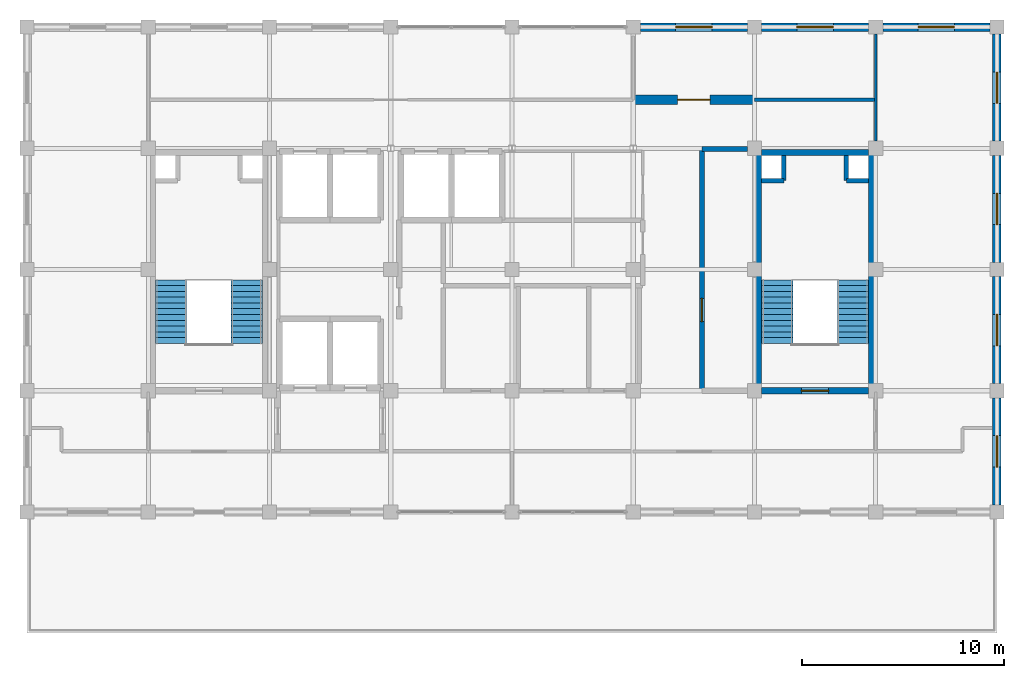
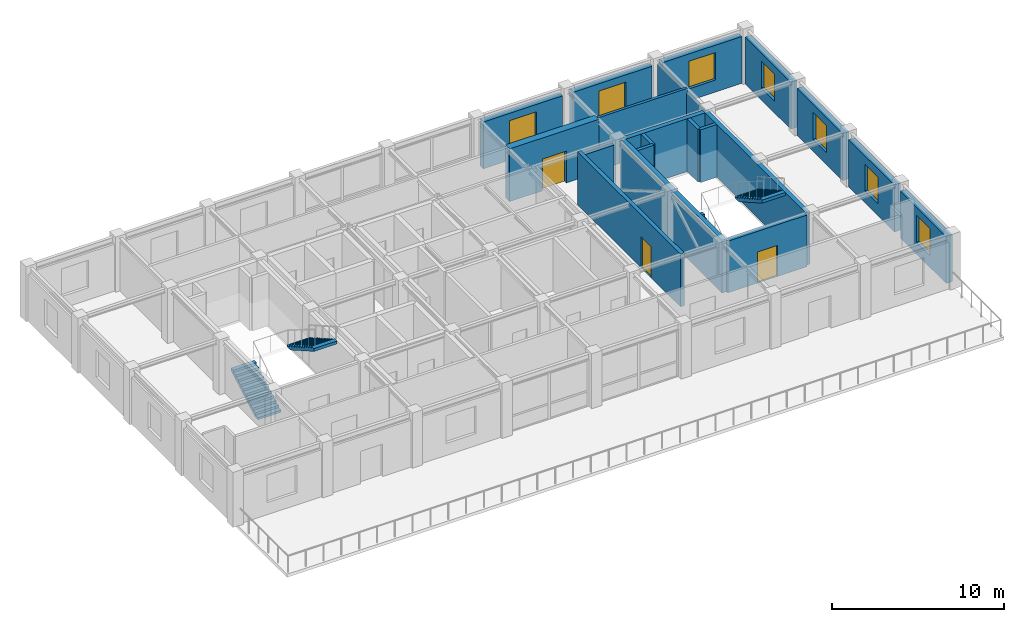
# One storey, part 10 of 11: 20 walls, 7 windows, 4 stair flights, 3 doors, 10 openings, 2 elements without a shape of their own.
"""IFC4 building model written with IfcOpenShell, lengths in metres."""

from ifc_helpers import new_model, si_unit, direction, frame, frame_2d, origin, place, context, subcontext, project, spatial, polyline, rectangle, outline, extrude, material, layer, layer_set, type_object, element, fill, aggregate, save


model = new_model("IFC4")

# Units and contexts
model_context = context("Model", 3, precision=1e-05, world=origin(), true_north=direction((0.0, 1.0)))
body_context = subcontext(model_context, "Body", "Model", "MODEL_VIEW")
ifc_project = project(units=[si_unit("LENGTHUNIT", "METRE"), si_unit("AREAUNIT", "SQUARE_METRE"), si_unit("VOLUMEUNIT", "CUBIC_METRE"), si_unit("PLANEANGLEUNIT", "RADIAN"), si_unit("MASSUNIT", "GRAM", prefix="KILO")], contexts=[model_context])

# Site, building, storey
site_placement = place(None, origin())
site = spatial("IfcSite", under=ifc_project, at=site_placement, CompositionType="ELEMENT")
building_placement = place(site_placement, origin())
building = spatial("IfcBuilding", under=site, at=building_placement, Name="Zlatovratsky Civic Hall", CompositionType="ELEMENT")
storey_placement = place(building_placement, frame((0.0, 0.0, 52.199951171875)))
storey = spatial("IfcBuildingStorey", under=building, at=storey_placement, Name="L13", CompositionType="ELEMENT", Elevation=52.199951171875)

# Wall
ifc_material_1 = material(Name="Acoustic ceramic blockwork", Category="masonry")
ifc_layer_1 = layer(ifc_material_1, 0.179931640625)
ifc_layer_set_1 = layer_set([ifc_layer_1], Name="Acoustic ceramic blockwork")
wall_type_1 = type_object("IfcWallType", Name="Wall_AcousticChamberPartition_180", PredefinedType="PARTITIONING", material=ifc_layer_set_1)
wall_1_placement = place(storey_placement, frame((96.0, 98.39990234375, 0.0), z_axis=(0.0, 0.0, 1.0), x_axis=(1.0, 0.0, 0.0)))
element("IfcWall", 1, at=wall_1_placement, inside=storey, type_object=wall_type_1, Name="WL-6643", PredefinedType="PARTITIONING", context=body_context, shape_type="SweptSolid", body=[
    extrude(rectangle(XDim=6.0, YDim=0.179931640625, at=frame_2d((3.0, 0.0))), origin(), (0.0, 0.0, 1.0), 3.739990234375),
])

# Wall, opening, door
ifc_layer_2 = layer(ifc_material_1, 0.260009765625)
ifc_layer_set_2 = layer_set([ifc_layer_2], Name="Acoustic ceramic blockwork")
wall_type_2 = type_object("IfcWallType", Name="Wall_ArchiveCompartment_260", PredefinedType="PARTITIONING", material=ifc_layer_set_2)
wall_2_placement = place(storey_placement, frame((93.39990234375, 84.0, 0.0), z_axis=(0.0, 0.0, 1.0), x_axis=(0.0, 1.0, 0.0)))
wall_2 = element("IfcWall", 2, at=wall_2_placement, inside=storey, type_object=wall_type_2, Name="WL-6606", PredefinedType="PARTITIONING", context=body_context, shape_type="SweptSolid", body=[
    extrude(rectangle(XDim=11.9599609375, YDim=0.260009765625, at=frame_2d((5.97998046875, 0.0))), origin(), (0.0, 0.0, 1.0), 3.739990234375),
])
opening_1_placement = place(wall_2_placement, frame((3.425048828125, 0.0, 0.0)))
opening_1 = element("IfcOpeningElement", 3, at=opening_1_placement, cuts=wall_2, Name="Opening D-31", PredefinedType="OPENING", context=body_context, shape_type="SweptSolid", body=[
    extrude(rectangle(XDim=1.14990234375, YDim=2.199951171875, at=frame_2d((0.574951171875, 1.10009765625))), frame((0.0, 0.14501953125, 0.0), z_axis=(0.0, -1.0, 0.0), x_axis=(1.0, 0.0, 0.0)), (0.0, 0.0, 1.0), 0.289794921875),
])
ifc_material_2 = material(Name="Insulated painted fire-rated steel leaf", Category="steel")
door_type_1 = type_object("IfcDoorType", Name="Door_RecordsVault_1150x2200", OperationType="NOTDEFINED", PredefinedType="DOOR", material=ifc_material_2)
door_1_placement = place(opening_1_placement, origin())
door_1 = element("IfcDoor", 4, at=door_1_placement, inside=storey, type_object=door_type_1, Name="DR-5485", OperationType="SINGLE_SWING_LEFT", OverallHeight=2.199951171875, OverallWidth=1.14990234375, PredefinedType="DOOR", context=body_context, shape_type="SweptSolid", body=[
    extrude(rectangle(XDim=1.14990234375, YDim=2.199951171875, at=frame_2d((0.574951171875, 1.10009765625))), frame((0.0, 0.02490234375, 0.0), z_axis=(0.0, -1.0, 0.0), x_axis=(1.0, 0.0, 0.0)), (0.0, 0.0, 1.0), 0.050048828125),
])
fill(opening_1, door_1)

# Wall
wall_3_placement = place(storey_placement, frame((93.39990234375, 95.9599609375, 0.0), z_axis=(0.0, 0.0, 1.0), x_axis=(1.0, 0.0, 0.0)))
element("IfcWall", 5, at=wall_3_placement, inside=storey, type_object=wall_type_2, Name="WL-6608", PredefinedType="PARTITIONING", context=body_context, shape_type="SweptSolid", body=[
    extrude(rectangle(XDim=2.25, YDim=0.260009765625, at=frame_2d((1.125, 0.0))), origin(), (0.0, 0.0, 1.0), 3.448974609375),
])

# Wall, opening, door
ifc_material_3 = material(Name="Concrete C35/45 (B40)", Category="concrete")
ifc_layer_3 = layer(ifc_material_3, 0.47998046875)
ifc_layer_set_3 = layer_set([ifc_layer_3], Name="Concrete C35/45 (B40)")
wall_type_3 = type_object("IfcWallType", Name="Wall_LowerCoreShear_480", PredefinedType="SHEAR", material=ifc_layer_set_3)
wall_4_placement = place(storey_placement, frame((90.0, 98.39990234375, 0.0), z_axis=(0.0, 0.0, 1.0), x_axis=(1.0, 0.0, 0.0)))
wall_4 = element("IfcWall", 6, at=wall_4_placement, inside=storey, type_object=wall_type_3, Name="WL-6623", PredefinedType="SHEAR", context=body_context, shape_type="SweptSolid", body=[
    extrude(rectangle(XDim=6.0, YDim=0.47998046875, at=frame_2d((3.0, 0.0))), origin(), (0.0, 0.0, 1.0), 3.739990234375),
])
opening_2_placement = place(wall_4_placement, frame((2.199951171875, 0.0, 0.0)))
opening_2 = element("IfcOpeningElement", 7, at=opening_2_placement, cuts=wall_4, Name="Opening D-29", PredefinedType="OPENING", context=body_context, shape_type="SweptSolid", body=[
    extrude(rectangle(XDim=1.60009765625, YDim=2.25, at=frame_2d((0.800048828125, 1.125))), frame((0.0, 0.2548828125, 0.0), z_axis=(0.0, -1.0, 0.0), x_axis=(1.0, 0.0, 0.0)), (0.0, 0.0, 1.0), 0.509765625),
])
door_type_2 = type_object("IfcDoorType", Name="Door_PlantRoomDouble_1600x2250", OperationType="DOUBLE_DOOR_SINGLE_SWING", PredefinedType="DOOR", material=ifc_material_2)
door_2_placement = place(opening_2_placement, origin())
door_2 = element("IfcDoor", 8, at=door_2_placement, inside=storey, type_object=door_type_2, Name="DR-5497", OperationType="DOUBLE_DOOR_SINGLE_SWING", OverallHeight=2.25, OverallWidth=1.60009765625, PredefinedType="DOOR", context=body_context, shape_type="SweptSolid", body=[
    extrude(rectangle(XDim=1.60009765625, YDim=2.25, at=frame_2d((0.800048828125, 1.125))), frame((0.0, 0.02490234375, 0.0), z_axis=(0.0, -1.0, 0.0), x_axis=(1.0, 0.0, 0.0)), (0.0, 0.0, 1.0), 0.050048828125),
])
fill(opening_2, door_2)

# Walls
ifc_material_4 = material(Name="Fire-rated gypsum board framing", Category="gypsum")
ifc_layer_4 = layer(ifc_material_4, 0.139892578125)
ifc_layer_set_4 = layer_set([ifc_layer_4], Name="Fire-rated gypsum board framing")
wall_type_4 = type_object("IfcWallType", Name="Wall_OfficePartition_140", PredefinedType="PARTITIONING", material=ifc_layer_set_4)
wall_5_placement = place(storey_placement, frame((102.0, 96.35009765625, 0.0), z_axis=(0.0, 0.0, 1.0), x_axis=(0.0, 1.0, 0.0)))
element("IfcWall", 9, at=wall_5_placement, inside=storey, type_object=wall_type_4, Name="WL-6645", PredefinedType="PARTITIONING", context=body_context, shape_type="SweptSolid", body=[
    extrude(rectangle(XDim=5.2998046875, YDim=0.139892578125, at=frame_2d((2.64990234375, 0.0))), origin(), (0.0, 0.0, 1.0), 3.448974609375),
])
ifc_layer_5 = layer(ifc_material_1, 0.219970703125)
ifc_layer_set_5 = layer_set([ifc_layer_5], Name="Acoustic ceramic blockwork")
wall_type_5 = type_object("IfcWallType", Name="Wall_SanitaryWetCore_220", PredefinedType="PARTITIONING", material=ifc_layer_set_5)
wall_6_placement = place(storey_placement, frame((97.449951171875, 94.39990234375, 0.0), z_axis=(0.0, 0.0, 1.0), x_axis=(0.0, 1.0, 0.0)))
element("IfcWall", 10, at=wall_6_placement, inside=storey, type_object=wall_type_5, Name="WL-5267", PredefinedType="PARTITIONING", context=body_context, shape_type="SweptSolid", body=[
    extrude(rectangle(XDim=1.25, YDim=0.219970703125, at=frame_2d((0.625, 0.0))), origin(), (0.0, 0.0, 1.0), 3.739990234375),
])
wall_7_placement = place(storey_placement, frame((96.35009765625, 94.39990234375, 0.0), z_axis=(0.0, 0.0, 1.0), x_axis=(1.0, 0.0, 0.0)))
element("IfcWall", 11, at=wall_7_placement, inside=storey, type_object=wall_type_5, Name="WL-5268", PredefinedType="PARTITIONING", context=body_context, shape_type="SweptSolid", body=[
    extrude(rectangle(XDim=1.099853515625, YDim=0.219970703125, at=frame_2d((0.5498046875, 0.0))), origin(), (0.0, 0.0, 1.0), 3.739990234375),
])
wall_8_placement = place(storey_placement, frame((100.550048828125, 94.39990234375, 0.0), z_axis=(0.0, 0.0, 1.0), x_axis=(0.0, 1.0, 0.0)))
element("IfcWall", 12, at=wall_8_placement, inside=storey, type_object=wall_type_5, Name="WL-5269", PredefinedType="PARTITIONING", context=body_context, shape_type="SweptSolid", body=[
    extrude(rectangle(XDim=1.25, YDim=0.219970703125, at=frame_2d((0.625, 0.0))), origin(), (0.0, 0.0, 1.0), 3.739990234375),
])
wall_9_placement = place(storey_placement, frame((100.550048828125, 94.39990234375, 0.0), z_axis=(0.0, 0.0, 1.0), x_axis=(1.0, 0.0, 0.0)))
element("IfcWall", 13, at=wall_9_placement, inside=storey, type_object=wall_type_5, Name="WL-5270", PredefinedType="PARTITIONING", context=body_context, shape_type="SweptSolid", body=[
    extrude(rectangle(XDim=1.099853515625, YDim=0.219970703125, at=frame_2d((0.5498046875, 0.0))), origin(), (0.0, 0.0, 1.0), 3.739990234375),
])

# Wall, opening, door
ifc_layer_6 = layer(ifc_material_3, 0.300048828125)
ifc_layer_set_6 = layer_set([ifc_layer_6], Name="Concrete C35/45 (B40)")
wall_type_6 = type_object("IfcWallType", Name="Wall_StairAndLiftShaft_300", PredefinedType="SHEAR", material=ifc_layer_set_6)
wall_10_placement = place(storey_placement, frame((96.35009765625, 84.0, 0.0), z_axis=(0.0, 0.0, 1.0), x_axis=(1.0, 0.0, 0.0)))
wall_10 = element("IfcWall", 14, at=wall_10_placement, inside=storey, type_object=wall_type_6, Name="WL-5263", PredefinedType="SHEAR", context=body_context, shape_type="SweptSolid", body=[
    extrude(rectangle(XDim=5.2998046875, YDim=0.300048828125, at=frame_2d((2.64990234375, 0.0))), origin(), (0.0, 0.0, 1.0), 3.66015625),
])
opening_3_placement = place(wall_10_placement, frame((1.97509765625, 0.0, 0.0)))
opening_3 = element("IfcOpeningElement", 15, at=opening_3_placement, cuts=wall_10, Name="Opening D-17", PredefinedType="OPENING", context=body_context, shape_type="SweptSolid", body=[
    extrude(rectangle(XDim=1.35009765625, YDim=2.199951171875, at=frame_2d((0.675048828125, 1.10009765625))), frame((0.0, 0.1650390625, 0.0), z_axis=(0.0, -1.0, 0.0), x_axis=(1.0, 0.0, 0.0)), (0.0, 0.0, 1.0), 0.329833984375),
])
door_type_3 = type_object("IfcDoorType", Name="Door_StairwellFireTower_1350x2200", OperationType="NOTDEFINED", PredefinedType="DOOR", material=ifc_material_2)
door_3_placement = place(opening_3_placement, origin())
door_3 = element("IfcDoor", 16, at=door_3_placement, inside=storey, type_object=door_type_3, Name="DR-5033", OperationType="SINGLE_SWING_LEFT", OverallHeight=2.199951171875, OverallWidth=1.35009765625, PredefinedType="DOOR", context=body_context, shape_type="SweptSolid", body=[
    extrude(rectangle(XDim=1.35009765625, YDim=2.199951171875, at=frame_2d((0.675048828125, 1.10009765625))), frame((0.0, 0.02490234375, 0.0), z_axis=(0.0, -1.0, 0.0), x_axis=(1.0, 0.0, 0.0)), (0.0, 0.0, 1.0), 0.050048828125),
])
fill(opening_3, door_3)

# Walls
wall_11_placement = place(storey_placement, frame((96.35009765625, 95.800048828125, 0.0), z_axis=(0.0, 0.0, 1.0), x_axis=(1.0, 0.0, 0.0)))
element("IfcWall", 17, at=wall_11_placement, inside=storey, type_object=wall_type_6, Name="WL-5264", PredefinedType="SHEAR", context=body_context, shape_type="SweptSolid", body=[
    extrude(rectangle(XDim=5.2998046875, YDim=0.300048828125, at=frame_2d((2.64990234375, 0.0))), origin(), (0.0, 0.0, 1.0), 3.739990234375),
])
for number, where, z_axis, x_axis, name in (
    (18, (96.199951171875, 84.0, 0.0), (0.0, 0.0, 1.0), (0.0, 1.0, 0.0), "WL-5265"),
    (19, (101.800048828125, 84.0, 0.0), (0.0, 0.0, 1.0), (0.0, 1.0, 0.0), "WL-5266"),
):
    element("IfcWall", number, at=place(storey_placement, frame(where, z_axis=z_axis, x_axis=x_axis)), inside=storey, type_object=wall_type_6, Name=name, PredefinedType="SHEAR", context=body_context, shape_type="SweptSolid", body=[
        extrude(rectangle(XDim=11.800048828125, YDim=0.300048828125, at=frame_2d((5.89990234375, 0.0))), origin(), (0.0, 0.0, 1.0), 3.739990234375),
    ])

# Wall, opening, window
ifc_layer_7 = layer(ifc_material_1, 0.280029296875, Name="Backing")
ifc_material_5 = material(Name="Podolsk limestone ashlar", Category="masonry")
ifc_layer_8 = layer(ifc_material_5, 0.139892578125, Name="Finish")
ifc_layer_set_7 = layer_set([ifc_layer_7, ifc_layer_8], Name="Acoustic ceramic blockwork")
wall_type_7 = type_object("IfcWallType", Name="Wall_TowerLimestoneAshlar_420", PredefinedType="SOLIDWALL", material=ifc_layer_set_7)
wall_12_placement = place(storey_placement, frame((90.35009765625, 102.0, 0.0), z_axis=(0.0, 0.0, 1.0), x_axis=(1.0, 0.0, 0.0)))
wall_12 = element("IfcWall", 20, at=wall_12_placement, inside=storey, type_object=wall_type_7, Name="WL-0598", PredefinedType="SOLIDWALL", context=body_context, shape_type="SweptSolid", body=[
    extrude(rectangle(XDim=5.2998046875, YDim=0.419921875, at=frame_2d((2.64990234375, 0.0))), origin(), (0.0, 0.0, 1.0), 3.320068359375),
])
opening_4_placement = place(wall_12_placement, frame((1.75, 0.0, 0.85009765625)))
opening_4 = element("IfcOpeningElement", 21, at=opening_4_placement, cuts=wall_12, Name="Opening WN-21", PredefinedType="OPENING", context=body_context, shape_type="SweptSolid", body=[
    extrude(rectangle(XDim=1.800048828125, YDim=1.949951171875, at=frame_2d((0.89990234375, 0.97509765625))), frame((0.0, 0.224853515625, 0.0), z_axis=(0.0, -1.0, 0.0), x_axis=(1.0, 0.0, 0.0)), (0.0, 0.0, 1.0), 0.44970703125),
])
ifc_material_6 = material(Name="Low-E laminated double glazing", Category="glass")
window_type_1 = type_object("IfcWindowType", Name="Window_TowerTier3North_1800x1950", PartitioningType="SINGLE_PANEL", PredefinedType="WINDOW", material=ifc_material_6)
window_1_placement = place(opening_4_placement, origin())
window_1 = element("IfcWindow", 22, at=window_1_placement, inside=storey, type_object=window_type_1, Name="WN-0470", OverallHeight=1.949951171875, OverallWidth=1.800048828125, PartitioningType="SINGLE_PANEL", PredefinedType="WINDOW", context=body_context, shape_type="SweptSolid", body=[
    extrude(rectangle(XDim=1.800048828125, YDim=1.949951171875, at=frame_2d((0.89990234375, 0.97509765625))), frame((0.0, 0.030029296875, 0.0), z_axis=(0.0, -1.0, 0.0), x_axis=(1.0, 0.0, 0.0)), (0.0, 0.0, 1.0), 0.06005859375),
])
fill(opening_4, window_1)

wall_13_placement = place(storey_placement, frame((96.35009765625, 102.0, 0.0), z_axis=(0.0, 0.0, 1.0), x_axis=(1.0, 0.0, 0.0)))
wall_13 = element("IfcWall", 23, at=wall_13_placement, inside=storey, type_object=wall_type_7, Name="WL-0599", PredefinedType="SOLIDWALL", context=body_context, shape_type="SweptSolid", body=[
    extrude(rectangle(XDim=5.2998046875, YDim=0.419921875, at=frame_2d((2.64990234375, 0.0))), origin(), (0.0, 0.0, 1.0), 3.320068359375),
])
opening_5_placement = place(wall_13_placement, frame((1.75, 0.0, 0.85009765625)))
opening_5 = element("IfcOpeningElement", 24, at=opening_5_placement, cuts=wall_13, Name="Opening WN-21", PredefinedType="OPENING", context=body_context, shape_type="SweptSolid", body=[
    extrude(rectangle(XDim=1.800048828125, YDim=1.949951171875, at=frame_2d((0.89990234375, 0.97509765625))), frame((0.0, 0.224853515625, 0.0), z_axis=(0.0, -1.0, 0.0), x_axis=(1.0, 0.0, 0.0)), (0.0, 0.0, 1.0), 0.44970703125),
])
window_2_placement = place(opening_5_placement, origin())
window_2 = element("IfcWindow", 25, at=window_2_placement, inside=storey, type_object=window_type_1, Name="WN-0471", OverallHeight=1.949951171875, OverallWidth=1.800048828125, PartitioningType="SINGLE_PANEL", PredefinedType="WINDOW", context=body_context, shape_type="SweptSolid", body=[
    extrude(rectangle(XDim=1.800048828125, YDim=1.949951171875, at=frame_2d((0.89990234375, 0.97509765625))), frame((0.0, 0.030029296875, 0.0), z_axis=(0.0, -1.0, 0.0), x_axis=(1.0, 0.0, 0.0)), (0.0, 0.0, 1.0), 0.06005859375),
])
fill(opening_5, window_2)

wall_14_placement = place(storey_placement, frame((102.35009765625, 102.0, 0.0), z_axis=(0.0, 0.0, 1.0), x_axis=(1.0, 0.0, 0.0)))
wall_14 = element("IfcWall", 26, at=wall_14_placement, inside=storey, type_object=wall_type_7, Name="WL-0600", PredefinedType="SOLIDWALL", context=body_context, shape_type="SweptSolid", body=[
    extrude(rectangle(XDim=5.2998046875, YDim=0.419921875, at=frame_2d((2.64990234375, 0.0))), origin(), (0.0, 0.0, 1.0), 3.320068359375),
])
opening_6_placement = place(wall_14_placement, frame((1.75, 0.0, 0.85009765625)))
opening_6 = element("IfcOpeningElement", 27, at=opening_6_placement, cuts=wall_14, Name="Opening WN-21", PredefinedType="OPENING", context=body_context, shape_type="SweptSolid", body=[
    extrude(rectangle(XDim=1.800048828125, YDim=1.949951171875, at=frame_2d((0.89990234375, 0.97509765625))), frame((0.0, 0.224853515625, 0.0), z_axis=(0.0, -1.0, 0.0), x_axis=(1.0, 0.0, 0.0)), (0.0, 0.0, 1.0), 0.44970703125),
])
window_3_placement = place(opening_6_placement, origin())
window_3 = element("IfcWindow", 28, at=window_3_placement, inside=storey, type_object=window_type_1, Name="WN-0472", OverallHeight=1.949951171875, OverallWidth=1.800048828125, PartitioningType="SINGLE_PANEL", PredefinedType="WINDOW", context=body_context, shape_type="SweptSolid", body=[
    extrude(rectangle(XDim=1.800048828125, YDim=1.949951171875, at=frame_2d((0.89990234375, 0.97509765625))), frame((0.0, 0.030029296875, 0.0), z_axis=(0.0, -1.0, 0.0), x_axis=(1.0, 0.0, 0.0)), (0.0, 0.0, 1.0), 0.06005859375),
])
fill(opening_6, window_3)

wall_15_placement = place(storey_placement, frame((108.0, 78.35009765625, 0.0), z_axis=(0.0, 0.0, 1.0), x_axis=(0.0, 1.0, 0.0)))
wall_15 = element("IfcWall", 29, at=wall_15_placement, inside=storey, type_object=wall_type_7, Name="WL-0605", PredefinedType="SOLIDWALL", context=body_context, shape_type="SweptSolid", body=[
    extrude(rectangle(XDim=5.2998046875, YDim=0.419921875, at=frame_2d((2.64990234375, 0.0))), origin(), (0.0, 0.0, 1.0), 3.320068359375),
])
opening_7_placement = place(wall_15_placement, frame((1.875, 0.0, 0.85009765625)))
opening_7 = element("IfcOpeningElement", 30, at=opening_7_placement, cuts=wall_15, Name="Opening WN-22", PredefinedType="OPENING", context=body_context, shape_type="SweptSolid", body=[
    extrude(rectangle(XDim=1.550048828125, YDim=1.89990234375, at=frame_2d((0.77490234375, 0.949951171875))), frame((0.0, 0.224853515625, 0.0), z_axis=(0.0, -1.0, 0.0), x_axis=(1.0, 0.0, 0.0)), (0.0, 0.0, 1.0), 0.44970703125),
])
window_type_2 = type_object("IfcWindowType", Name="Window_TowerTier3Flank_1550x1900", PartitioningType="SINGLE_PANEL", PredefinedType="WINDOW", material=ifc_material_6)
window_4_placement = place(opening_7_placement, origin())
window_4 = element("IfcWindow", 31, at=window_4_placement, inside=storey, type_object=window_type_2, Name="WN-0477", OverallHeight=1.89990234375, OverallWidth=1.550048828125, PartitioningType="SINGLE_PANEL", PredefinedType="WINDOW", context=body_context, shape_type="SweptSolid", body=[
    extrude(rectangle(XDim=1.550048828125, YDim=1.89990234375, at=frame_2d((0.77490234375, 0.949951171875))), frame((0.0, 0.030029296875, 0.0), z_axis=(0.0, -1.0, 0.0), x_axis=(1.0, 0.0, 0.0)), (0.0, 0.0, 1.0), 0.06005859375),
])
fill(opening_7, window_4)

wall_16_placement = place(storey_placement, frame((108.0, 84.35009765625, 0.0), z_axis=(0.0, 0.0, 1.0), x_axis=(0.0, 1.0, 0.0)))
wall_16 = element("IfcWall", 32, at=wall_16_placement, inside=storey, type_object=wall_type_7, Name="WL-0606", PredefinedType="SOLIDWALL", context=body_context, shape_type="SweptSolid", body=[
    extrude(rectangle(XDim=5.2998046875, YDim=0.419921875, at=frame_2d((2.64990234375, 0.0))), origin(), (0.0, 0.0, 1.0), 3.320068359375),
])
opening_8_placement = place(wall_16_placement, frame((1.875, 0.0, 0.85009765625)))
opening_8 = element("IfcOpeningElement", 33, at=opening_8_placement, cuts=wall_16, Name="Opening WN-22", PredefinedType="OPENING", context=body_context, shape_type="SweptSolid", body=[
    extrude(rectangle(XDim=1.550048828125, YDim=1.89990234375, at=frame_2d((0.77490234375, 0.949951171875))), frame((0.0, 0.224853515625, 0.0), z_axis=(0.0, -1.0, 0.0), x_axis=(1.0, 0.0, 0.0)), (0.0, 0.0, 1.0), 0.44970703125),
])
window_5_placement = place(opening_8_placement, origin())
window_5 = element("IfcWindow", 34, at=window_5_placement, inside=storey, type_object=window_type_2, Name="WN-0478", OverallHeight=1.89990234375, OverallWidth=1.550048828125, PartitioningType="SINGLE_PANEL", PredefinedType="WINDOW", context=body_context, shape_type="SweptSolid", body=[
    extrude(rectangle(XDim=1.550048828125, YDim=1.89990234375, at=frame_2d((0.77490234375, 0.949951171875))), frame((0.0, 0.030029296875, 0.0), z_axis=(0.0, -1.0, 0.0), x_axis=(1.0, 0.0, 0.0)), (0.0, 0.0, 1.0), 0.06005859375),
])
fill(opening_8, window_5)

wall_17_placement = place(storey_placement, frame((108.0, 90.35009765625, 0.0), z_axis=(0.0, 0.0, 1.0), x_axis=(0.0, 1.0, 0.0)))
wall_17 = element("IfcWall", 35, at=wall_17_placement, inside=storey, type_object=wall_type_7, Name="WL-0607", PredefinedType="SOLIDWALL", context=body_context, shape_type="SweptSolid", body=[
    extrude(rectangle(XDim=5.2998046875, YDim=0.419921875, at=frame_2d((2.64990234375, 0.0))), origin(), (0.0, 0.0, 1.0), 3.320068359375),
])
opening_9_placement = place(wall_17_placement, frame((1.875, 0.0, 0.85009765625)))
opening_9 = element("IfcOpeningElement", 36, at=opening_9_placement, cuts=wall_17, Name="Opening WN-22", PredefinedType="OPENING", context=body_context, shape_type="SweptSolid", body=[
    extrude(rectangle(XDim=1.550048828125, YDim=1.89990234375, at=frame_2d((0.77490234375, 0.949951171875))), frame((0.0, 0.224853515625, 0.0), z_axis=(0.0, -1.0, 0.0), x_axis=(1.0, 0.0, 0.0)), (0.0, 0.0, 1.0), 0.44970703125),
])
window_6_placement = place(opening_9_placement, origin())
window_6 = element("IfcWindow", 37, at=window_6_placement, inside=storey, type_object=window_type_2, Name="WN-0479", OverallHeight=1.89990234375, OverallWidth=1.550048828125, PartitioningType="SINGLE_PANEL", PredefinedType="WINDOW", context=body_context, shape_type="SweptSolid", body=[
    extrude(rectangle(XDim=1.550048828125, YDim=1.89990234375, at=frame_2d((0.77490234375, 0.949951171875))), frame((0.0, 0.030029296875, 0.0), z_axis=(0.0, -1.0, 0.0), x_axis=(1.0, 0.0, 0.0)), (0.0, 0.0, 1.0), 0.06005859375),
])
fill(opening_9, window_6)

wall_18_placement = place(storey_placement, frame((108.0, 96.35009765625, 0.0), z_axis=(0.0, 0.0, 1.0), x_axis=(0.0, 1.0, 0.0)))
wall_18 = element("IfcWall", 38, at=wall_18_placement, inside=storey, type_object=wall_type_7, Name="WL-0608", PredefinedType="SOLIDWALL", context=body_context, shape_type="SweptSolid", body=[
    extrude(rectangle(XDim=5.2998046875, YDim=0.419921875, at=frame_2d((2.64990234375, 0.0))), origin(), (0.0, 0.0, 1.0), 3.320068359375),
])
opening_10_placement = place(wall_18_placement, frame((1.875, 0.0, 0.85009765625)))
opening_10 = element("IfcOpeningElement", 39, at=opening_10_placement, cuts=wall_18, Name="Opening WN-22", PredefinedType="OPENING", context=body_context, shape_type="SweptSolid", body=[
    extrude(rectangle(XDim=1.550048828125, YDim=1.89990234375, at=frame_2d((0.77490234375, 0.949951171875))), frame((0.0, 0.224853515625, 0.0), z_axis=(0.0, -1.0, 0.0), x_axis=(1.0, 0.0, 0.0)), (0.0, 0.0, 1.0), 0.44970703125),
])
window_7_placement = place(opening_10_placement, origin())
window_7 = element("IfcWindow", 40, at=window_7_placement, inside=storey, type_object=window_type_2, Name="WN-0480", OverallHeight=1.89990234375, OverallWidth=1.550048828125, PartitioningType="SINGLE_PANEL", PredefinedType="WINDOW", context=body_context, shape_type="SweptSolid", body=[
    extrude(rectangle(XDim=1.550048828125, YDim=1.89990234375, at=frame_2d((0.77490234375, 0.949951171875))), frame((0.0, 0.030029296875, 0.0), z_axis=(0.0, -1.0, 0.0), x_axis=(1.0, 0.0, 0.0)), (0.0, 0.0, 1.0), 0.06005859375),
])
fill(opening_10, window_7)

# Stair, stair flights
ifc_material_7 = material(Name="Concrete C30/37 (B35)", Category="concrete")
stair_type = type_object("IfcStairType", Name="Stair_HALF_24R_1550W_04", PredefinedType="HALF_TURN_STAIR", material=ifc_material_7)
stair_1_placement = place(storey_placement, origin())
stair_1 = element("IfcStair", 41, at=stair_1_placement, inside=storey, type_object=stair_type, Name="ST-014", PredefinedType="HALF_TURN_STAIR")
stair_flight_type = type_object("IfcStairFlightType", Name="StairFlight_12R_1550W_04", PredefinedType="STRAIGHT", material=ifc_material_7)
stair_flight_1_placement = place(storey_placement, frame((67.125, 86.35009765625, 0.0), z_axis=(0.0, 0.0, 1.0), x_axis=(0.0, 1.0, 0.0)))
stair_flight_1 = element("IfcStairFlight", 42, at=stair_flight_1_placement, type_object=stair_flight_type, Name="ST-014-F1", NumberOfRisers=12, NumberOfTreads=11, PredefinedType="STRAIGHT", RiserHeight=0.1625, TreadLength=0.285, context=body_context, shape_type="SweptSolid", body=[
    extrude(outline(polyline([(0.0, 0.0), (0.0, 0.16259765625), (0.284912109375, 0.16259765625), (0.284912109375, 0.324951171875), (0.570068359375, 0.324951171875), (0.570068359375, 0.487548828125), (0.85498046875, 0.487548828125), (0.85498046875, 0.64990234375), (1.139892578125, 0.64990234375), (1.139892578125, 0.8125), (1.425048828125, 0.8125), (1.425048828125, 0.97509765625), (1.7099609375, 0.97509765625), (1.7099609375, 1.137451171875), (1.9951171875, 1.137451171875), (1.9951171875, 1.300048828125), (2.280029296875, 1.300048828125), (2.280029296875, 1.46240234375), (2.56494140625, 1.46240234375), (2.56494140625, 1.625), (2.85009765625, 1.625), (2.85009765625, 1.78759765625), (3.135009765625, 1.78759765625), (3.135009765625, 1.949951171875), (3.135009765625, 1.580322265625), (0.36328125, 0.0), (0.0, 0.0)])), frame((0.0, 0.77490234375, 0.0), z_axis=(0.0, -1.0, 0.0), x_axis=(1.0, 0.0, 0.0)), (0.0, 0.0, 1.0), 1.550048828125),
])
stair_flight_2_placement = place(storey_placement, frame((70.875, 89.485107421875, 1.949951171875), z_axis=(0.0, 0.0, 1.0), x_axis=(0.0, -1.0, 0.0)))
stair_flight_2 = element("IfcStairFlight", 43, at=stair_flight_2_placement, type_object=stair_flight_type, Name="ST-014-F2", NumberOfRisers=12, NumberOfTreads=11, PredefinedType="STRAIGHT", RiserHeight=0.1625, TreadLength=0.285, context=body_context, shape_type="SweptSolid", body=[
    extrude(outline(polyline([(0.0, 0.0), (0.0, 0.16259765625), (0.284912109375, 0.16259765625), (0.284912109375, 0.324951171875), (0.570068359375, 0.324951171875), (0.570068359375, 0.487548828125), (0.85498046875, 0.487548828125), (0.85498046875, 0.64990234375), (1.139892578125, 0.64990234375), (1.139892578125, 0.8125), (1.425048828125, 0.8125), (1.425048828125, 0.97509765625), (1.7099609375, 0.97509765625), (1.7099609375, 1.137451171875), (1.9951171875, 1.137451171875), (1.9951171875, 1.300048828125), (2.280029296875, 1.300048828125), (2.280029296875, 1.46240234375), (2.56494140625, 1.46240234375), (2.56494140625, 1.625), (2.85009765625, 1.625), (2.85009765625, 1.78759765625), (3.135009765625, 1.78759765625), (3.135009765625, 1.949951171875), (3.135009765625, 1.580322265625), (0.36328125, 0.0), (0.0, 0.0)])), frame((0.0, 0.77490234375, 0.0), z_axis=(0.0, -1.0, 0.0), x_axis=(1.0, 0.0, 0.0)), (0.0, 0.0, 1.0), 1.550048828125),
])
aggregate(stair_1, [stair_flight_1, stair_flight_2])

stair_2_placement = place(storey_placement, origin())
stair_2 = element("IfcStair", 44, at=stair_2_placement, inside=storey, type_object=stair_type, Name="ST-033", PredefinedType="HALF_TURN_STAIR")
stair_flight_3_placement = place(storey_placement, frame((97.125, 86.35009765625, 0.0), z_axis=(0.0, 0.0, 1.0), x_axis=(0.0, 1.0, 0.0)))
stair_flight_3 = element("IfcStairFlight", 45, at=stair_flight_3_placement, type_object=stair_flight_type, Name="ST-033-F1", NumberOfRisers=12, NumberOfTreads=11, PredefinedType="STRAIGHT", RiserHeight=0.1625, TreadLength=0.285, context=body_context, shape_type="SweptSolid", body=[
    extrude(outline(polyline([(0.0, 0.0), (0.0, 0.16259765625), (0.284912109375, 0.16259765625), (0.284912109375, 0.324951171875), (0.570068359375, 0.324951171875), (0.570068359375, 0.487548828125), (0.85498046875, 0.487548828125), (0.85498046875, 0.64990234375), (1.139892578125, 0.64990234375), (1.139892578125, 0.8125), (1.425048828125, 0.8125), (1.425048828125, 0.97509765625), (1.7099609375, 0.97509765625), (1.7099609375, 1.137451171875), (1.9951171875, 1.137451171875), (1.9951171875, 1.300048828125), (2.280029296875, 1.300048828125), (2.280029296875, 1.46240234375), (2.56494140625, 1.46240234375), (2.56494140625, 1.625), (2.85009765625, 1.625), (2.85009765625, 1.78759765625), (3.135009765625, 1.78759765625), (3.135009765625, 1.949951171875), (3.135009765625, 1.580322265625), (0.36328125, 0.0), (0.0, 0.0)])), frame((0.0, 0.77490234375, 0.0), z_axis=(0.0, -1.0, 0.0), x_axis=(1.0, 0.0, 0.0)), (0.0, 0.0, 1.0), 1.550048828125),
])
stair_flight_4_placement = place(storey_placement, frame((100.875, 89.485107421875, 1.949951171875), z_axis=(0.0, 0.0, 1.0), x_axis=(0.0, -1.0, 0.0)))
stair_flight_4 = element("IfcStairFlight", 46, at=stair_flight_4_placement, type_object=stair_flight_type, Name="ST-033-F2", NumberOfRisers=12, NumberOfTreads=11, PredefinedType="STRAIGHT", RiserHeight=0.1625, TreadLength=0.285, context=body_context, shape_type="SweptSolid", body=[
    extrude(outline(polyline([(0.0, 0.0), (0.0, 0.16259765625), (0.284912109375, 0.16259765625), (0.284912109375, 0.324951171875), (0.570068359375, 0.324951171875), (0.570068359375, 0.487548828125), (0.85498046875, 0.487548828125), (0.85498046875, 0.64990234375), (1.139892578125, 0.64990234375), (1.139892578125, 0.8125), (1.425048828125, 0.8125), (1.425048828125, 0.97509765625), (1.7099609375, 0.97509765625), (1.7099609375, 1.137451171875), (1.9951171875, 1.137451171875), (1.9951171875, 1.300048828125), (2.280029296875, 1.300048828125), (2.280029296875, 1.46240234375), (2.56494140625, 1.46240234375), (2.56494140625, 1.625), (2.85009765625, 1.625), (2.85009765625, 1.78759765625), (3.135009765625, 1.78759765625), (3.135009765625, 1.949951171875), (3.135009765625, 1.580322265625), (0.36328125, 0.0), (0.0, 0.0)])), frame((0.0, 0.77490234375, 0.0), z_axis=(0.0, -1.0, 0.0), x_axis=(1.0, 0.0, 0.0)), (0.0, 0.0, 1.0), 1.550048828125),
])
aggregate(stair_2, [stair_flight_3, stair_flight_4])

save(model, "model.ifc")
